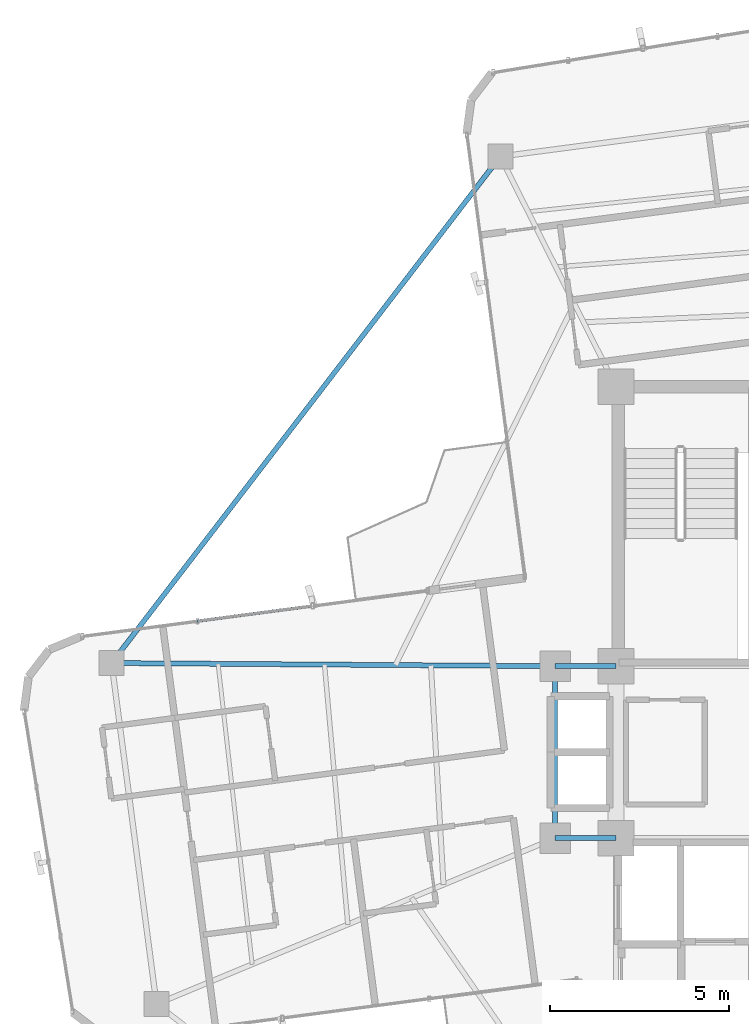
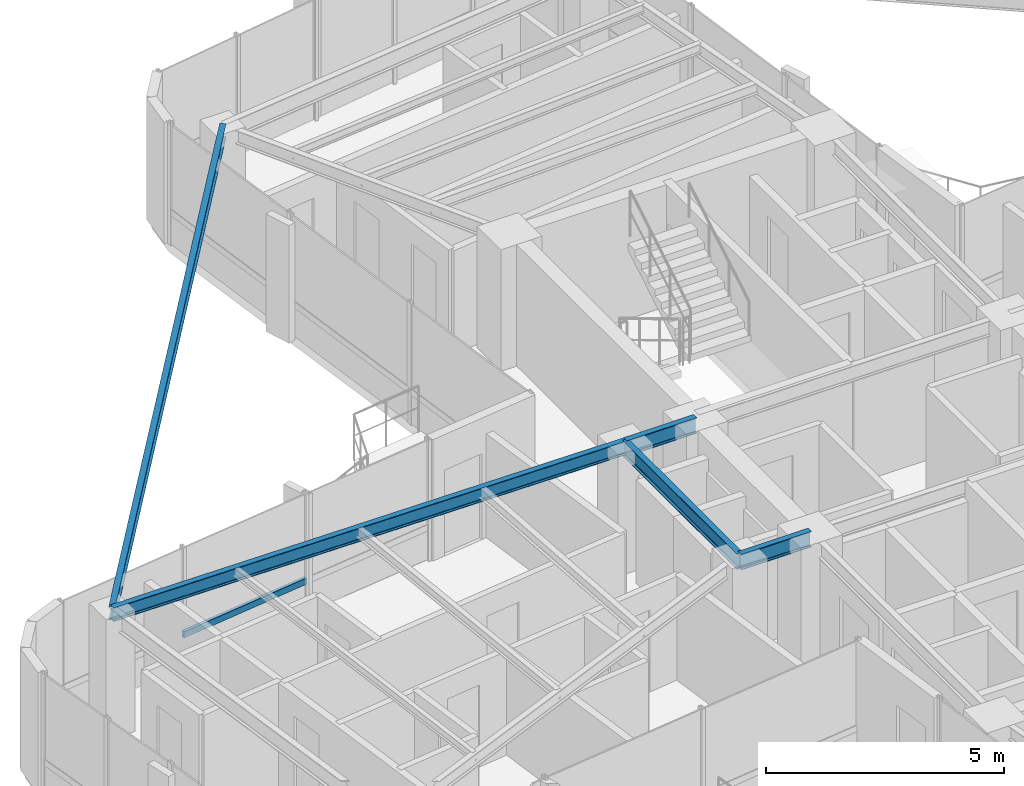
# One storey, part 7 of 21: 5 beams, 1 member, 1 element without a shape of its own.
"""IFC4 building model written with IfcOpenShell, lengths in metres."""

from ifc_helpers import new_model, si_unit, direction, frame, origin, origin_2d, place, context, subcontext, project, spatial, hollow_rectangle, i_section, extrude, source, transform, mapped, material, material_profile, profile_set, type_object, element, aggregate, save


model = new_model("IFC4")

# Units and contexts
model_context = context("Model", 3, precision=1e-05, world=origin(), true_north=direction((0.0, 1.0)))
body_context = subcontext(model_context, "Body", "Model", "MODEL_VIEW")
ifc_project = project(units=[si_unit("LENGTHUNIT", "METRE"), si_unit("AREAUNIT", "SQUARE_METRE"), si_unit("VOLUMEUNIT", "CUBIC_METRE"), si_unit("PLANEANGLEUNIT", "RADIAN"), si_unit("MASSUNIT", "GRAM", prefix="KILO")], contexts=[model_context])

# Site, building, storey
site_placement = place(None, origin())
site = spatial("IfcSite", under=ifc_project, at=site_placement, CompositionType="ELEMENT")
building_placement = place(site_placement, origin())
building = spatial("IfcBuilding", under=site, at=building_placement, Name="Sahyath Konkavel Grand Hotel", CompositionType="ELEMENT")
storey_placement = place(building_placement, frame((0.0, 0.0, 209.85009765625)))
storey = spatial("IfcBuildingStorey", under=building, at=storey_placement, Name="L58", CompositionType="ELEMENT", Elevation=209.85009765625)

# Beams
ifc_material_1 = material(Name="Steel E350", Category="steel")
ifc_material_profile_1 = material_profile(ifc_material_1, i_section(OverallWidth=0.139892578125, OverallDepth=0.39990234375, WebThickness=0.0087890625, FlangeThickness=0.01611328125, FilletRadius=0.013916015625, at=origin_2d()), Name="ISMB 400")
ifc_profile_set_1 = profile_set([ifc_material_profile_1], Name="Steel E350")
beam_type_1 = type_object("IfcBeamType", Name="BM-ISMB400", PredefinedType="BEAM", material=ifc_profile_set_1)
shared_shape_1 = source(origin(), body_context, "Body", "SweptSolid", [
    extrude(i_section(OverallWidth=0.139892578125, OverallDepth=0.39990234375, WebThickness=0.0087890625, FlangeThickness=0.01611328125, FilletRadius=0.013916015625, at=origin_2d()), origin(), (0.0, 0.0, 1.0), 1.699951171875),
])
for number, where, z_axis, x_axis, name in (
    (1, (-5.5, 2.39990234375, 2.909912109375), (1.0, 0.0, 0.0), (0.0, 1.0, 0.0), "str:bm:L58:HB-NW"),
    (2, (-5.5, -2.39990234375, 2.909912109375), (1.0, 0.0, 0.0), (0.0, 1.0, 0.0), "str:bm:L58:HB-SW"),
):
    element("IfcBeam", number, at=place(storey_placement, frame(where, z_axis=z_axis, x_axis=x_axis)), inside=storey, type_object=beam_type_1, Name=name, PredefinedType="BEAM", context=body_context, shape_type="MappedRepresentation", body=[
        mapped(shared_shape_1, transform((0.0, 0.0, 0.0), scale=1.0)),
    ])
shared_shape_2 = source(origin(), body_context, "Body", "SweptSolid", [
    extrude(i_section(OverallWidth=0.139892578125, OverallDepth=0.39990234375, WebThickness=0.0087890625, FlangeThickness=0.01611328125, FilletRadius=0.013916015625, at=origin_2d()), origin(), (0.0, 0.0, 1.0), 4.7998046875),
])
beam_1_placement = place(storey_placement, frame((-5.5, -2.39990234375, 2.909912109375), z_axis=(0.0, 1.0, 0.0), x_axis=(-1.0, 0.0, 0.0)))
element("IfcBeam", 3, at=beam_1_placement, inside=storey, type_object=beam_type_1, Name="str:bm:L58:HB-W", PredefinedType="BEAM", context=body_context, shape_type="MappedRepresentation", body=[
    mapped(shared_shape_2, transform((0.0, 0.0, 0.0), scale=1.0)),
])
ifc_material_profile_2 = material_profile(ifc_material_1, i_section(OverallWidth=0.139892578125, OverallDepth=0.35009765625, WebThickness=0.008056640625, FlangeThickness=0.01416015625, FilletRadius=0.013916015625, at=origin_2d()), Name="ISMB 350")
ifc_profile_set_2 = profile_set([ifc_material_profile_2], Name="Steel E350")
beam_type_2 = type_object("IfcBeamType", Name="BM-ISMB350", PredefinedType="BEAM", material=ifc_profile_set_2)
shared_shape_3 = source(origin(), body_context, "Body", "SweptSolid", [
    extrude(i_section(OverallWidth=0.139892578125, OverallDepth=0.35009765625, WebThickness=0.008056640625, FlangeThickness=0.01416015625, FilletRadius=0.013916015625, at=origin_2d()), origin(), (0.0, 0.0, 1.0), 12.3779296875),
])
beam_2_placement = place(storey_placement, frame((-5.5, 2.39990234375, 2.934814453125), z_axis=(-0.999974790757, 0.007100552766, 0.0), x_axis=(-0.007100552766, -0.999974790757, 0.0)))
element("IfcBeam", 4, at=beam_2_placement, inside=storey, type_object=beam_type_2, Name="L58 Cruciform Radial Girder WA", PredefinedType="BEAM", context=body_context, shape_type="MappedRepresentation", body=[
    mapped(shared_shape_3, transform((0.0, 0.0, 0.0), scale=1.0)),
])
shared_shape_4 = source(origin(), body_context, "Body", "SweptSolid", [
    extrude(i_section(OverallWidth=0.139892578125, OverallDepth=0.35009765625, WebThickness=0.008056640625, FlangeThickness=0.01416015625, FilletRadius=0.013916015625, at=origin_2d()), origin(), (0.0, 0.0, 1.0), 17.819091796875),
])
beam_3_placement = place(storey_placement, frame((-7.030029296875, 16.62451171875, 2.934814453125), z_axis=(-0.608767449027, -0.793348720932, 0.0), x_axis=(0.793348720932, -0.608767449027, 0.0)))
element("IfcBeam", 5, at=beam_3_placement, inside=storey, type_object=beam_type_2, Name="L58 Re-Entrant Tie Beam NW", PredefinedType="BEAM", context=body_context, shape_type="MappedRepresentation", body=[
    mapped(shared_shape_4, transform((0.0, 0.0, 0.0), scale=1.0)),
])

# Curtain wall, member
ifc_material_2 = material(Name="Anodised Bronze Aluminium & Low-E Glazing", Category="aluminium")
curtain_wall_type = type_object("IfcCurtainWallType", Name="CW-ZONE4", PredefinedType="NOTDEFINED", material=ifc_material_2)
curtain_wall_placement = place(storey_placement, origin())
curtain_wall = element("IfcCurtainWall", 6, at=curtain_wall_placement, inside=storey, type_object=curtain_wall_type, Name="L58 Unitised Curtain Wall F16", PredefinedType="NOTDEFINED")
ifc_material_3 = material(Name="Anodised Bronze Aluminium", Category="aluminium")
ifc_material_profile_3 = material_profile(ifc_material_3, hollow_rectangle(XDim=0.080078125, YDim=0.159912109375, WallThickness=0.006103515625, at=origin_2d()), Name="RHS 160x80x6")
ifc_profile_set_3 = profile_set([ifc_material_profile_3], Name="Anodised Bronze Aluminium")
member_type = type_object("IfcMemberType", Name="CW-TRN-160", PredefinedType="USERDEFINED", material=ifc_profile_set_3)
shared_shape_5 = source(origin(), body_context, "Body", "SweptSolid", [
    extrude(hollow_rectangle(XDim=0.080078125, YDim=0.159912109375, WallThickness=0.006103515625, at=origin_2d()), origin(), (0.0, 0.0, 1.0), 3.239990234375),
])
member_placement = place(storey_placement, frame((-12.26806640625, 4.083740234375, 0.849853515625), z_axis=(-0.991436589187, -0.130589010341, 0.0), x_axis=(0.130589010341, -0.991436589187, 0.0)))
member = element("IfcMember", 7, at=member_placement, type_object=member_type, Name="L58 Curtain Wall Transom F16-1-spandrel", ObjectType="TRANSOM", PredefinedType="USERDEFINED", context=body_context, shape_type="MappedRepresentation", body=[
    mapped(shared_shape_5, transform((0.0, 0.0, 0.0), scale=1.0)),
])
aggregate(curtain_wall, [member])

save(model, "model.ifc")
